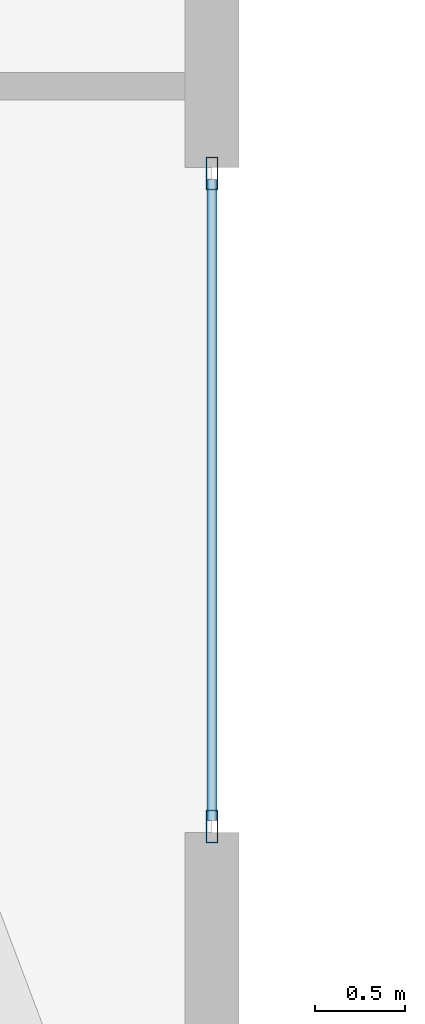
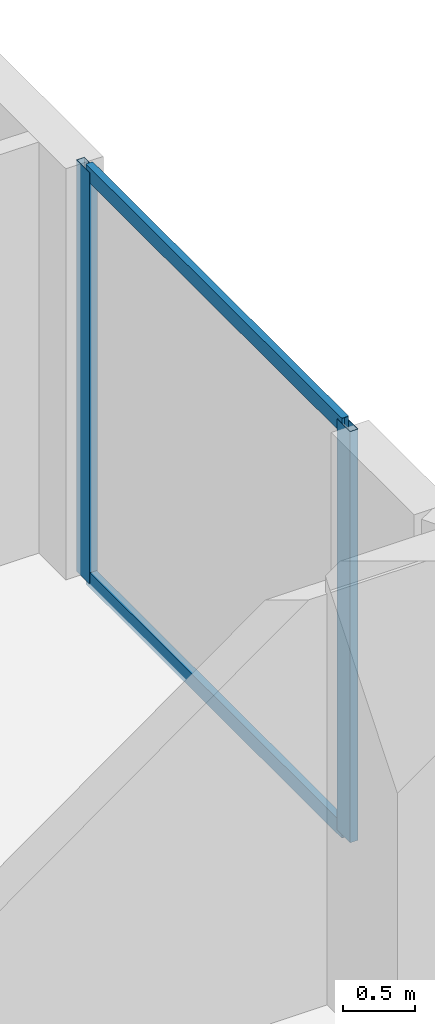
# One storey, part 11 of 25: 4 members, 1 element without a shape of its own.
"""IFC4 building model written with IfcOpenShell, lengths in metres."""

import ifcopenshell
import ifcopenshell.guid

model = None  # the IFC model being written
_history = None  # IfcOwnerHistory: only IFC2X3 demands one
_inside = {}  # id of a spatial element -> (the spatial element, [elements in it])
_under = {}  # id of a project, library or spatial element -> (it, [spatial elements below it])
_declared = {}  # id of a project -> (the project, [libraries it declares])
_typed = {}  # id of a type object -> (the type object, [elements of that type])
_made_of = {}  # id of a material, layer set ... -> (it, [elements and type objects made of it])


def new_model(schema):
    """Start an empty IFC model of exactly this schema.

    Asked for "IFC4X3", IfcOpenShell would pick the latest addendum, in which some entities
    have other attributes; the version numbers below select the first issue.
    IFC2X3 requires an IfcOwnerHistory on every rooted entity: one is made here for all.
    """
    global model, _history
    if schema == "IFC4X3":
        model = ifcopenshell.file(schema_version=(4, 3, 0, 0))
    else:
        model = ifcopenshell.file(schema=schema)
    _inside.clear()
    _under.clear()
    _declared.clear()
    _typed.clear()
    _made_of.clear()
    _history = None
    if model.schema == "IFC2X3":
        org = make("IfcOrganization", Name="unknown")
        user = make(
            "IfcPersonAndOrganization",
            ThePerson=make("IfcPerson", FamilyName="unknown"),
            TheOrganization=org,
        )
        app = make(
            "IfcApplication",
            ApplicationDeveloper=org,
            Version="unknown",
            ApplicationFullName="unknown",
            ApplicationIdentifier="unknown",
        )
        _history = make(
            "IfcOwnerHistory",
            OwningUser=user,
            OwningApplication=app,
            ChangeAction="ADDED",
            CreationDate=0,
        )
    return model


def make(cls, **values):
    """One entity of the class cls with the attributes given. An attribute that is None is left unset."""
    return model.create_entity(
        cls, **{name: value for name, value in values.items() if value is not None}
    )


def rooted(cls, **values):
    """An entity with a GlobalId (a new one), such as an element, a storey or a relation."""
    return make(cls, GlobalId=ifcopenshell.guid.new(), OwnerHistory=_history, **values)


def si_unit(unit_type, name, prefix=None):
    """IfcSIUnit, for example si_unit("LENGTHUNIT", "METRE", prefix="MILLI")."""
    return make("IfcSIUnit", UnitType=unit_type, Prefix=prefix, Name=name)


def assignment(units):
    """IfcUnitAssignment: the units of a project."""
    return None if units is None else make("IfcUnitAssignment", Units=units)


def point(xyz):
    """IfcCartesianPoint."""
    return None if xyz is None else make("IfcCartesianPoint", Coordinates=xyz)


def direction(xyz):
    """IfcDirection."""
    return None if xyz is None else make("IfcDirection", DirectionRatios=xyz)


def frame(location, z_axis=None, x_axis=None):
    """IfcAxis2Placement3D, a coordinate frame: its origin and axes. An axis left out is left unset."""
    return make(
        "IfcAxis2Placement3D",
        Location=point(location),
        Axis=direction(z_axis),
        RefDirection=direction(x_axis),
    )


def frame_2d(location, x_axis=None):
    """IfcAxis2Placement2D, a coordinate frame in the plane: its origin and x axis."""
    return make(
        "IfcAxis2Placement2D", Location=point(location), RefDirection=direction(x_axis)
    )


def origin():
    """The frame at (0, 0, 0) with its axes left unset."""
    return frame((0.0, 0.0, 0.0))


def origin_2d():
    """The frame at (0, 0) in the plane with its x axis left unset."""
    return frame_2d((0.0, 0.0))


def place(relative_to, where):
    """IfcLocalPlacement: puts the frame where relative to a parent placement (None: the world)."""
    return make(
        "IfcLocalPlacement", PlacementRelTo=relative_to, RelativePlacement=where
    )


def context(
    kind, dimensions, precision=None, world=None, true_north=None, identifier=None
):
    """IfcGeometricRepresentationContext, for example the 3D "Model" context."""
    return make(
        "IfcGeometricRepresentationContext",
        ContextIdentifier=identifier,
        ContextType=kind,
        CoordinateSpaceDimension=dimensions,
        Precision=precision,
        WorldCoordinateSystem=world,
        TrueNorth=true_north,
    )


def subcontext(parent, identifier, kind, view, scale=None):
    """IfcGeometricRepresentationSubContext, for example "Body" below "Model"."""
    return make(
        "IfcGeometricRepresentationSubContext",
        ContextIdentifier=identifier,
        ContextType=kind,
        ParentContext=parent,
        TargetScale=scale,
        TargetView=view,
    )


def project(units=None, contexts=None):
    """IfcProject with its units and contexts."""
    return rooted(
        "IfcProject",
        Name="project",
        RepresentationContexts=contexts,
        UnitsInContext=assignment(units),
    )


def spatial(cls, under=None, at=None, **own):
    """A site, building, storey or space (cls), placed at a placement, below another one or the project."""
    s = rooted(cls, ObjectPlacement=at, **own)
    if under is not None:
        _under.setdefault(under.id(), (under, []))[1].append(s)
    return s


def profile(cls, at=None, kind="AREA", **sizes):
    """A parametric profile (cls). Its sizes go by their IFC names, for example OverallWidth=200.0."""
    return make(cls, ProfileType=kind, Position=at, **sizes)


def hollow_rectangle(**sizes):
    """IfcRectangleHollowProfileDef."""
    return profile("IfcRectangleHollowProfileDef", **sizes)


def extrude(swept, where, along, depth):
    """IfcExtrudedAreaSolid: the profile swept, set in the frame where, extruded along a direction by depth."""
    return make(
        "IfcExtrudedAreaSolid",
        SweptArea=swept,
        Position=where,
        ExtrudedDirection=direction(along),
        Depth=depth,
    )


def shape(context_of_items, identifier, shape_type, items):
    """IfcShapeRepresentation: the items that make up one representation, for example the "Body"."""
    return make(
        "IfcShapeRepresentation",
        ContextOfItems=context_of_items,
        RepresentationIdentifier=identifier,
        RepresentationType=shape_type,
        Items=items,
    )


def material(Name=None, Category=None):
    """IfcMaterial."""
    return make("IfcMaterial", Name=Name, Category=Category)


def layer(
    of_material, thickness, ventilated=None, Name=None, Category=None, Priority=None
):
    """IfcMaterialLayer: one layer of a wall or slab, of a material (None: an air gap)."""
    return make(
        "IfcMaterialLayer",
        Material=of_material,
        LayerThickness=thickness,
        IsVentilated=ventilated,
        Name=Name,
        Category=Category,
        Priority=Priority,
    )


def layer_set(layers, Name=None):
    """IfcMaterialLayerSet."""
    return make("IfcMaterialLayerSet", MaterialLayers=layers, LayerSetName=Name)


def material_profile(
    of_material, cross_section, Name=None, Category=None, Priority=None
):
    """IfcMaterialProfile: a cross section and its material."""
    return make(
        "IfcMaterialProfile",
        Name=Name,
        Material=of_material,
        Profile=cross_section,
        Priority=Priority,
        Category=Category,
    )


def profile_set(profiles, Name=None, composite=None):
    """IfcMaterialProfileSet."""
    return make(
        "IfcMaterialProfileSet",
        Name=Name,
        MaterialProfiles=profiles,
        CompositeProfile=composite,
    )


def made_of(thing, what):
    """Note that an element or type object is made of a material, layer set ...; save() writes the relation."""
    if what is not None:
        _made_of.setdefault(what.id(), (what, []))[1].append(thing)
    return thing


def type_object(cls, material=None, **own):
    """A type object (cls), such as IfcWallType, which elements share."""
    return made_of(rooted(cls, **own), material)


def element(
    cls,
    number,
    at=None,
    inside=None,
    cuts=None,
    type_object=None,
    material=None,
    context=None,
    identifier="Body",
    shape_type=None,
    held_by="IfcProductDefinitionShape",
    body=None,
    shapes=None,
    **own,
):
    """One element of the class cls, such as IfcWall. Its Tag is "e" and its number.

    at: its placement. inside: the storey or other place that contains it. cuts: it is an
    opening in that element (IfcRelVoidsElement). A single representation is given by context,
    identifier, shape_type and body (its items); several are given by shapes. held_by: the class
    of the entity that holds the representations. save() writes the other relations.
    """
    e = rooted(cls, Tag="e%d" % number, ObjectPlacement=at, **own)
    if body is not None:
        shapes = [shape(context, identifier, shape_type, body)]
    if shapes is not None:
        e.Representation = make(held_by, Representations=shapes)
    if inside is not None:
        _inside.setdefault(inside.id(), (inside, []))[1].append(e)
    if cuts is not None:
        rooted(
            "IfcRelVoidsElement", RelatingBuildingElement=cuts, RelatedOpeningElement=e
        )
    if type_object is not None:
        _typed.setdefault(type_object.id(), (type_object, []))[1].append(e)
    return made_of(e, material)


def aggregate(whole, parts):
    """IfcRelAggregates: a whole, such as a stair, and the parts it consists of."""
    return rooted("IfcRelAggregates", RelatingObject=whole, RelatedObjects=parts)


def save(model, path):
    """Write the relations noted so far, then the file.

    IfcRelAggregates (storeys below a building ...), IfcRelContainedInSpatialStructure (elements
    in a storey), IfcRelDefinesByType, IfcRelAssociatesMaterial and IfcRelDeclares: one each for
    every whole, place, type object, material and project.
    """
    for whole, parts in _under.values():
        aggregate(whole, parts)
    for where, things in _inside.values():
        rooted(
            "IfcRelContainedInSpatialStructure",
            RelatedElements=things,
            RelatingStructure=where,
        )
    for kind, things in _typed.values():
        rooted("IfcRelDefinesByType", RelatedObjects=things, RelatingType=kind)
    for what, things in _made_of.values():
        rooted("IfcRelAssociatesMaterial", RelatedObjects=things, RelatingMaterial=what)
    for by, libraries in _declared.values():
        rooted("IfcRelDeclares", RelatingContext=by, RelatedDefinitions=libraries)
    model.write(path)


model = new_model("IFC4")

# Units and contexts
model_context = context("Model", 3, precision=1e-05, world=origin(), true_north=direction((0.0, 1.0)))
body_context = subcontext(model_context, "Body", "Model", "MODEL_VIEW")
ifc_project = project(units=[si_unit("LENGTHUNIT", "METRE"), si_unit("AREAUNIT", "SQUARE_METRE"), si_unit("VOLUMEUNIT", "CUBIC_METRE"), si_unit("PLANEANGLEUNIT", "RADIAN"), si_unit("MASSUNIT", "GRAM", prefix="KILO")], contexts=[model_context])

# Site, building, storey
site_placement = place(None, origin())
site = spatial("IfcSite", under=ifc_project, at=site_placement, CompositionType="ELEMENT")
building_placement = place(site_placement, origin())
building = spatial("IfcBuilding", under=site, at=building_placement, Name="Zuhayl Quay Hotel", CompositionType="ELEMENT")
storey_placement = place(building_placement, frame((0.0, 0.0, 250.75)))
storey = spatial("IfcBuildingStorey", under=building, at=storey_placement, Name="L63", CompositionType="ELEMENT", Elevation=250.75)

# Curtain wall, members
ifc_material_1 = material(Name="Anodised Aluminium 6063-T6", Category="aluminium")
ifc_layer = layer(ifc_material_1, 0.169921875, Name="Anodised Aluminium 6063-T6", Category="aluminium")
ifc_layer_set = layer_set([ifc_layer], Name="Anodised Aluminium 6063-T6")
curtain_wall_type = type_object("IfcCurtainWallType", Name="CW_SYS_Z4", PredefinedType="USERDEFINED", material=ifc_layer_set)
curtain_wall_placement = place(storey_placement, origin())
curtain_wall = element("IfcCurtainWall", 1, at=curtain_wall_placement, inside=storey, type_object=curtain_wall_type, Name="L63 Curtain Wall ENV_L63_E11_CW2", ObjectType="UNITISED CURTAIN WALL", PredefinedType="USERDEFINED")
ifc_material_2 = material(Name="Black-anodised aluminium 6063-T6", Category="aluminium")
ifc_material_profile_1 = material_profile(ifc_material_2, hollow_rectangle(XDim=0.06494140625, YDim=0.179931640625, WallThickness=0.00341796875, at=origin_2d()), Name="ALU180X65")
ifc_profile_set_1 = profile_set([ifc_material_profile_1], Name="Black-anodised aluminium 6063-T6")
member_type_1 = type_object("IfcMemberType", Name="MB_CW_MUL_180", PredefinedType="MULLION", material=ifc_profile_set_1)
member_1_placement = place(storey_placement, frame((20.199951171875, 28.8974609375, 0.0), z_axis=(0.0, 0.0, 1.0), x_axis=(1.0, 0.0, 0.0)))
member_1 = element("IfcMember", 2, at=member_1_placement, type_object=member_type_1, Name="CW-Z4 mullion 1", PredefinedType="MULLION", context=body_context, shape_type="SweptSolid", body=[
    extrude(hollow_rectangle(XDim=0.06494140625, YDim=0.179931640625, WallThickness=0.00341796875, at=origin_2d()), origin(), (0.0, 0.0, 1.0), 3.47998046875),
])
member_2_placement = place(storey_placement, frame((20.199951171875, 25.282470703125, 0.0), z_axis=(0.0, 0.0, 1.0), x_axis=(1.0, 0.0, 0.0)))
member_2 = element("IfcMember", 3, at=member_2_placement, type_object=member_type_1, Name="CW-Z4 mullion 2", PredefinedType="MULLION", context=body_context, shape_type="SweptSolid", body=[
    extrude(hollow_rectangle(XDim=0.06494140625, YDim=0.179931640625, WallThickness=0.00341796875, at=origin_2d()), origin(), (0.0, 0.0, 1.0), 3.47998046875),
])
ifc_material_profile_2 = material_profile(ifc_material_2, hollow_rectangle(XDim=0.054931640625, YDim=0.1298828125, WallThickness=0.0029296875, at=origin_2d()), Name="ALU130X55")
ifc_profile_set_2 = profile_set([ifc_material_profile_2], Name="Black-anodised aluminium 6063-T6")
member_type_2 = type_object("IfcMemberType", Name="MB_CW_TRN_130", PredefinedType="USERDEFINED", material=ifc_profile_set_2)
member_3_placement = place(storey_placement, frame((20.199951171875, 28.864990234375, 0.027587890625), z_axis=(0.0, -1.0, 0.0), x_axis=(1.0, 0.0, 0.0)))
member_3 = element("IfcMember", 4, at=member_3_placement, type_object=member_type_2, Name="CW-Z4 transom 1.1", ObjectType="TRANSOM", PredefinedType="USERDEFINED", context=body_context, shape_type="SweptSolid", body=[
    extrude(hollow_rectangle(XDim=0.054931640625, YDim=0.1298828125, WallThickness=0.0029296875, at=origin_2d()), origin(), (0.0, 0.0, 1.0), 3.550048828125),
])
member_4_placement = place(storey_placement, frame((20.199951171875, 28.864990234375, 3.452392578125), z_axis=(0.0, -1.0, 0.0), x_axis=(1.0, 0.0, 0.0)))
member_4 = element("IfcMember", 5, at=member_4_placement, type_object=member_type_2, Name="CW-Z4 transom 1.2", ObjectType="TRANSOM", PredefinedType="USERDEFINED", context=body_context, shape_type="SweptSolid", body=[
    extrude(hollow_rectangle(XDim=0.054931640625, YDim=0.1298828125, WallThickness=0.0029296875, at=origin_2d()), origin(), (0.0, 0.0, 1.0), 3.550048828125),
])
aggregate(curtain_wall, [member_1, member_2, member_3, member_4])

save(model, "model.ifc")
